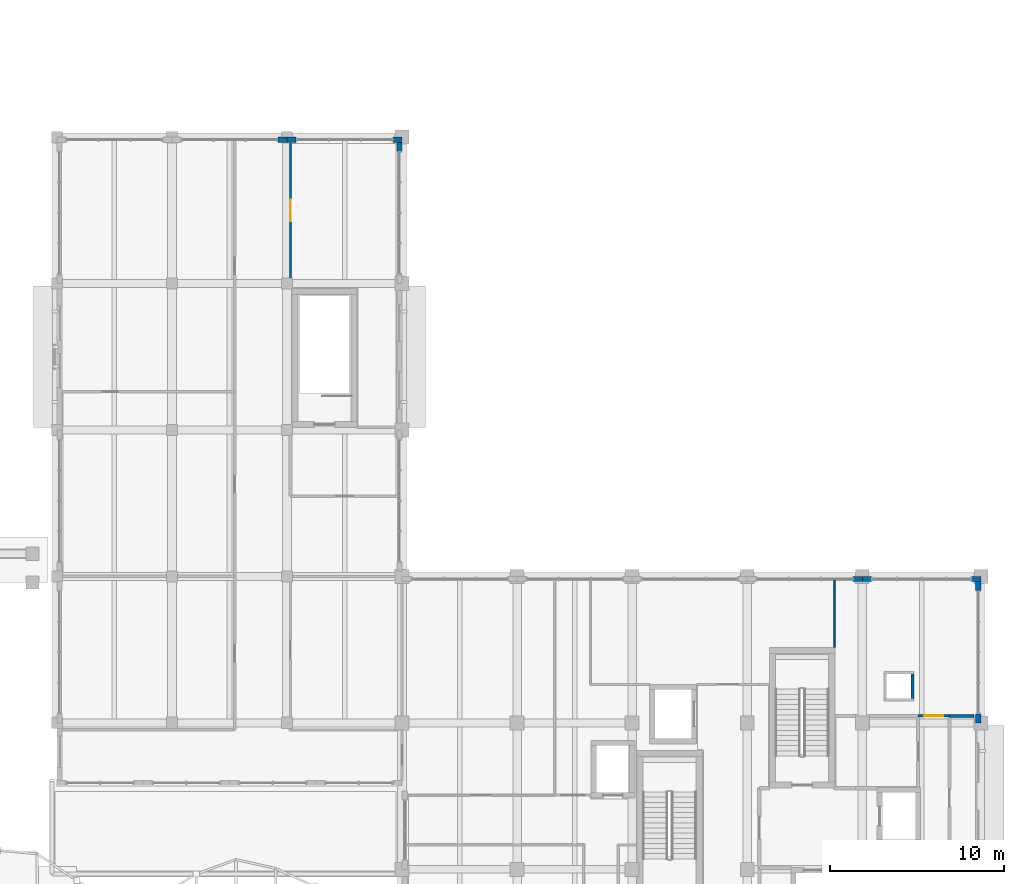
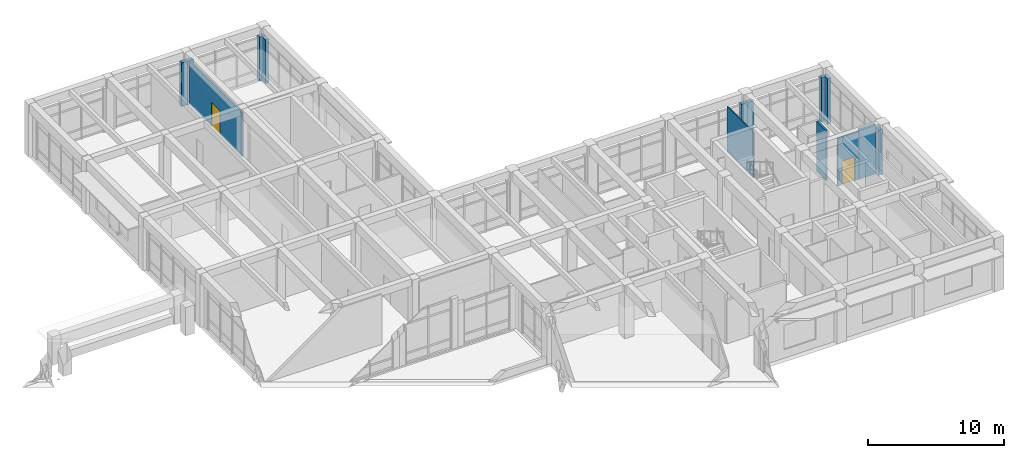
# One storey, part 61 of 79: 14 walls, 2 doors, 2 openings.
"""IFC4 building model written with IfcOpenShell, lengths in metres."""

from ifc_helpers import new_model, si_unit, direction, frame, frame_2d, origin, place, context, subcontext, project, spatial, rectangle, extrude, material, layer, layer_set, type_object, element, fill, save


model = new_model("IFC4")

# Units and contexts
model_context = context("Model", 3, precision=1e-05, world=origin(), true_north=direction((0.0, 1.0)))
body_context = subcontext(model_context, "Body", "Model", "MODEL_VIEW")
ifc_project = project(units=[si_unit("LENGTHUNIT", "METRE"), si_unit("AREAUNIT", "SQUARE_METRE"), si_unit("VOLUMEUNIT", "CUBIC_METRE"), si_unit("PLANEANGLEUNIT", "RADIAN"), si_unit("MASSUNIT", "GRAM", prefix="KILO")], contexts=[model_context])

# Site, building, storey
site_placement = place(None, origin())
site = spatial("IfcSite", under=ifc_project, at=site_placement, CompositionType="ELEMENT")
building_placement = place(site_placement, origin())
building = spatial("IfcBuilding", under=site, at=building_placement, Name="Kolvaren Faculty of Natural Sciences", CompositionType="ELEMENT")
storey_placement = place(building_placement, frame((0.0, 0.0, 10.199951171875)))
storey = spatial("IfcBuildingStorey", under=building, at=storey_placement, Name="L02", CompositionType="ELEMENT", Elevation=10.199951171875)

# Wall, opening, door
ifc_material_1 = material(Name="Acoustic mineral-wool insulated gypsum partition")
ifc_layer_1 = layer(ifc_material_1, 0.14501953125)
ifc_layer_set_1 = layer_set([ifc_layer_1], Name="Acoustic mineral-wool insulated gypsum partition")
wall_type_1 = type_object("IfcWallType", Name="CommonsPartitionWall_145", PredefinedType="PARTITIONING", material=ifc_layer_set_1)
wall_1_placement = place(storey_placement, frame((170.199951171875, 76.199951171875, 0.0), z_axis=(0.0, 0.0, 1.0), x_axis=(-1.0, 0.0, 0.0)))
wall_1 = element("IfcWall", 1, at=wall_1_placement, inside=storey, type_object=wall_type_1, Name="L02 interior partition PW-145", PredefinedType="PARTITIONING", context=body_context, shape_type="SweptSolid", body=[
    extrude(rectangle(XDim=1.800048828125, YDim=0.14501953125, at=frame_2d((0.89990234375, 0.0))), origin(), (0.0, 0.0, 1.0), 4.28515625),
])
opening_1_placement = place(wall_1_placement, frame((0.360107421875, 0.0, 0.0)))
opening_1 = element("IfcOpeningElement", 2, at=opening_1_placement, cuts=wall_1, Name="Opening ID-23", PredefinedType="OPENING", context=body_context, shape_type="SweptSolid", body=[
    extrude(rectangle(XDim=1.080078125, YDim=2.139892578125, at=frame_2d((0.5400390625, 1.06982421875))), frame((0.0, 0.08251953125, 0.0), z_axis=(0.0, -1.0, 0.0), x_axis=(1.0, 0.0, 0.0)), (0.0, 0.0, 1.0), 0.1650390625),
])
ifc_material_2 = material(Name="Solid-core hardwood veneer door leaf in steel frame", Category="steel")
door_type_1 = type_object("IfcDoorType", Name="InteriorRoomDoor_1080x2140", OperationType="NOTDEFINED", PredefinedType="DOOR", material=ifc_material_2)
door_1_placement = place(opening_1_placement, origin())
door_1 = element("IfcDoor", 3, at=door_1_placement, inside=storey, type_object=door_type_1, Name="D-L02-0216", OperationType="SINGLE_SWING_RIGHT", OverallHeight=2.139892578125, OverallWidth=1.080078125, PredefinedType="DOOR", context=body_context, shape_type="SweptSolid", body=[
    extrude(rectangle(XDim=1.080078125, YDim=2.139892578125, at=frame_2d((0.5400390625, 1.06982421875))), frame((0.0, 0.02490234375, 0.0), z_axis=(0.0, -1.0, 0.0), x_axis=(1.0, 0.0, 0.0)), (0.0, 0.0, 1.0), 0.050048828125),
])
fill(opening_1, door_1)

# Walls
ifc_layer_2 = layer(ifc_material_1, 0.094970703125)
ifc_layer_set_2 = layer_set([ifc_layer_2], Name="Acoustic mineral-wool insulated gypsum partition")
wall_type_2 = type_object("IfcWallType", Name="CubiclePartition_095", PredefinedType="PARTITIONING", material=ifc_layer_set_2)
wall_2_placement = place(storey_placement, frame((163.60009765625, 84.02001953125, 0.0), z_axis=(0.0, 0.0, 1.0), x_axis=(0.0, -1.0, 0.0)))
element("IfcWall", 4, at=wall_2_placement, inside=storey, type_object=wall_type_2, Name="L02 interior partition PW-095", PredefinedType="PARTITIONING", context=body_context, shape_type="SweptSolid", body=[
    extrude(rectangle(XDim=3.89306640625, YDim=0.094970703125, at=frame_2d((1.946533203125, 0.0))), origin(), (0.0, 0.0, 1.0), 4.0849609375),
])
ifc_material_3 = material(Name="Sandstone-faced insulated cavity masonry", Category="masonry")
ifc_layer_3 = layer(ifc_material_3, 0.300048828125)
ifc_layer_set_3 = layer_set([ifc_layer_3], Name="Sandstone-faced insulated cavity masonry")
wall_type_3 = type_object("IfcWallType", Name="ExteriorCavityWall_300", PredefinedType="STANDARD", material=ifc_layer_set_3)
for number, where, z_axis, x_axis, name in (
    (5, (131.679931640625, 109.25, 0.0), (0.0, 0.0, 1.0), (1.0, 0.0, 0.0), "L02 curtain-wall pier stub 380"),
    (6, (132.199951171875, 109.25, 0.0), (0.0, 0.0, 1.0), (1.0, 0.0, 0.0), "L02 curtain-wall pier stub 381"),
    (7, (138.280029296875, 109.25, 0.0), (0.0, 0.0, 1.0), (1.0, 0.0, 0.0), "L02 curtain-wall pier stub 382"),
    (8, (138.64990234375, 109.10009765625, 0.0), (0.0, 0.0, 1.0), (0.0, -1.0, 0.0), "L02 curtain-wall pier stub 383"),
    (9, (164.679931640625, 84.050048828125, 0.0), (0.0, 0.0, 1.0), (1.0, 0.0, 0.0), "L02 curtain-wall pier stub 395"),
    (10, (165.199951171875, 84.050048828125, 0.0), (0.0, 0.0, 1.0), (1.0, 0.0, 0.0), "L02 curtain-wall pier stub 396"),
    (11, (171.47998046875, 84.050048828125, 0.0), (0.0, 0.0, 1.0), (1.0, 0.0, 0.0), "L02 curtain-wall pier stub 397"),
):
    element("IfcWall", number, at=place(storey_placement, frame(where, z_axis=z_axis, x_axis=x_axis)), inside=storey, type_object=wall_type_3, Name=name, PredefinedType="STANDARD", context=body_context, shape_type="SweptSolid", body=[
        extrude(rectangle(XDim=0.52001953125, YDim=0.300048828125, at=frame_2d((0.260009765625, 0.0))), origin(), (0.0, 0.0, 1.0), 3.93505859375),
    ])
for number, where, z_axis, x_axis, name in (
    (12, (171.85009765625, 83.89990234375, 0.0), (0.0, 0.0, 1.0), (0.0, -1.0, 0.0), "L02 curtain-wall pier stub 398"),
    (13, (171.85009765625, 76.320068359375, 0.0), (0.0, 0.0, 1.0), (0.0, -1.0, 0.0), "L02 curtain-wall pier stub 399"),
):
    element("IfcWall", number, at=place(storey_placement, frame(where, z_axis=z_axis, x_axis=x_axis)), inside=storey, type_object=wall_type_3, Name=name, PredefinedType="STANDARD", context=body_context, shape_type="SweptSolid", body=[
        extrude(rectangle(XDim=0.52001953125, YDim=0.300048828125, at=frame_2d((0.260009765625, 0.0))), origin(), (0.0, 0.0, 1.0), 4.0849609375),
    ])

# Wall, opening, door
ifc_layer_4 = layer(ifc_material_1, 0.1298828125)
ifc_layer_set_4 = layer_set([ifc_layer_4], Name="Acoustic mineral-wool insulated gypsum partition")
wall_type_4 = type_object("IfcWallType", Name="OfficePartitionWall_130", PredefinedType="PARTITIONING", material=ifc_layer_set_4)
wall_3_placement = place(storey_placement, frame((132.39990234375, 101.324951171875, 0.0), z_axis=(0.0, 0.0, 1.0), x_axis=(0.0, 1.0, 0.0)))
wall_3 = element("IfcWall", 14, at=wall_3_placement, inside=storey, type_object=wall_type_4, Name="L02 interior partition PW-130", PredefinedType="PARTITIONING", context=body_context, shape_type="SweptSolid", body=[
    extrude(rectangle(XDim=7.75, YDim=0.1298828125, at=frame_2d((3.875, 0.0))), origin(), (0.0, 0.0, 1.0), 3.93505859375),
])
opening_2_placement = place(wall_3_placement, frame((3.2548828125, 0.0, 0.0)))
opening_2 = element("IfcOpeningElement", 15, at=opening_2_placement, cuts=wall_3, Name="Opening ID-25", PredefinedType="OPENING", context=body_context, shape_type="SweptSolid", body=[
    extrude(rectangle(XDim=1.239990234375, YDim=2.139892578125, at=frame_2d((0.6201171875, 1.06982421875))), frame((0.0, 0.074951171875, 0.0), z_axis=(0.0, -1.0, 0.0), x_axis=(1.0, 0.0, 0.0)), (0.0, 0.0, 1.0), 0.14990234375),
])
door_type_2 = type_object("IfcDoorType", Name="InteriorRoomDoor_1240x2140", OperationType="NOTDEFINED", PredefinedType="DOOR", material=ifc_material_2)
door_2_placement = place(opening_2_placement, origin())
door_2 = element("IfcDoor", 16, at=door_2_placement, inside=storey, type_object=door_type_2, Name="D-L02-0218", OperationType="SINGLE_SWING_RIGHT", OverallHeight=2.139892578125, OverallWidth=1.239990234375, PredefinedType="DOOR", context=body_context, shape_type="SweptSolid", body=[
    extrude(rectangle(XDim=1.239990234375, YDim=2.139892578125, at=frame_2d((0.6201171875, 1.06982421875))), frame((0.0, 0.02490234375, 0.0), z_axis=(0.0, -1.0, 0.0), x_axis=(1.0, 0.0, 0.0)), (0.0, 0.0, 1.0), 0.050048828125),
])
fill(opening_2, door_2)

# Walls
ifc_material_4 = material(Name="Double fire-rated gypsum board on 100 mm steel stud", Category="steel")
ifc_layer_5 = layer(ifc_material_4, 0.159912109375)
ifc_layer_set_5 = layer_set([ifc_layer_5], Name="Double fire-rated gypsum board on 100 mm steel stud")
wall_type_5 = type_object("IfcWallType", Name="RiserShaftWall_160", PredefinedType="PARTITIONING", material=ifc_layer_set_5)
wall_4_placement = place(storey_placement, frame((168.080078125, 77.199951171875, 0.0), z_axis=(0.0, 0.0, 1.0), x_axis=(0.0, 1.0, 0.0)))
element("IfcWall", 17, at=wall_4_placement, inside=storey, type_object=wall_type_5, Name="L02 service riser shaft wall E", PredefinedType="PARTITIONING", context=body_context, shape_type="SweptSolid", body=[
    extrude(rectangle(XDim=1.400146484375, YDim=0.159912109375, at=frame_2d((0.7001953125, 0.0))), origin(), (0.0, 0.0, 1.0), 4.4951171875),
])
ifc_layer_6 = layer(ifc_material_1, 0.169921875)
ifc_layer_set_6 = layer_set([ifc_layer_6], Name="Acoustic mineral-wool insulated gypsum partition")
wall_type_6 = type_object("IfcWallType", Name="SeminarPartitionWall_170", PredefinedType="PARTITIONING", material=ifc_layer_set_6)
wall_5_placement = place(storey_placement, frame((170.199951171875, 76.199951171875, 0.0), z_axis=(0.0, 0.0, 1.0), x_axis=(1.0, 0.0, 0.0)))
element("IfcWall", 18, at=wall_5_placement, inside=storey, type_object=wall_type_6, Name="L02 interior partition PW-170", PredefinedType="PARTITIONING", context=body_context, shape_type="SweptSolid", body=[
    extrude(rectangle(XDim=1.400146484375, YDim=0.169921875, at=frame_2d((0.7001953125, 0.0))), origin(), (0.0, 0.0, 1.0), 4.4951171875),
])

save(model, "model.ifc")
